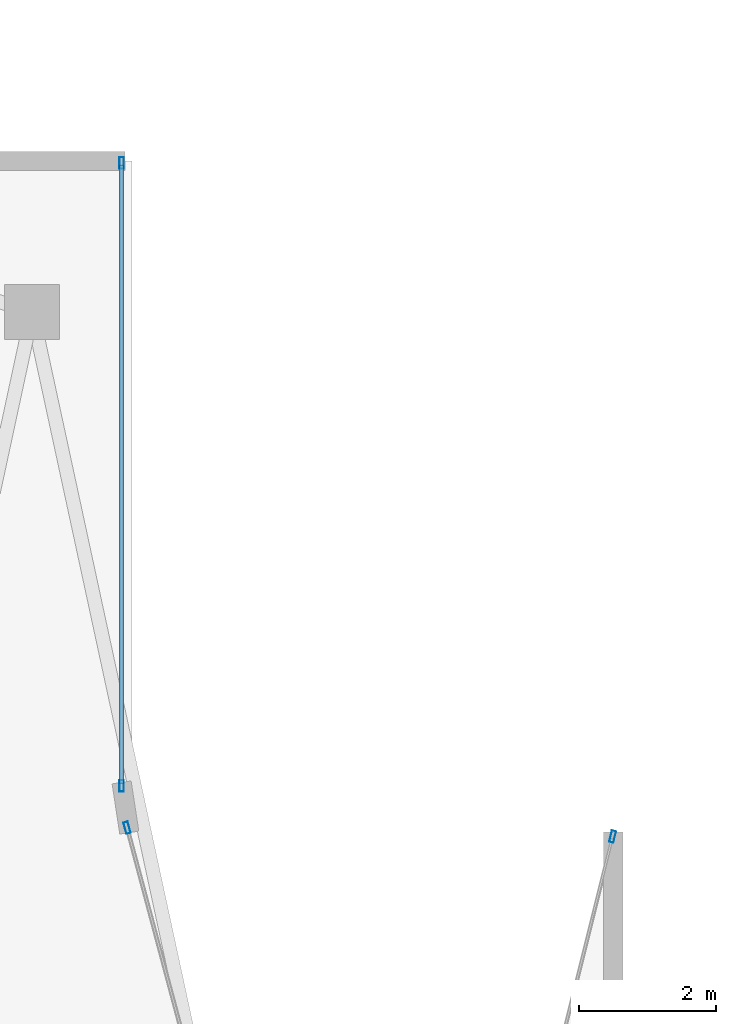
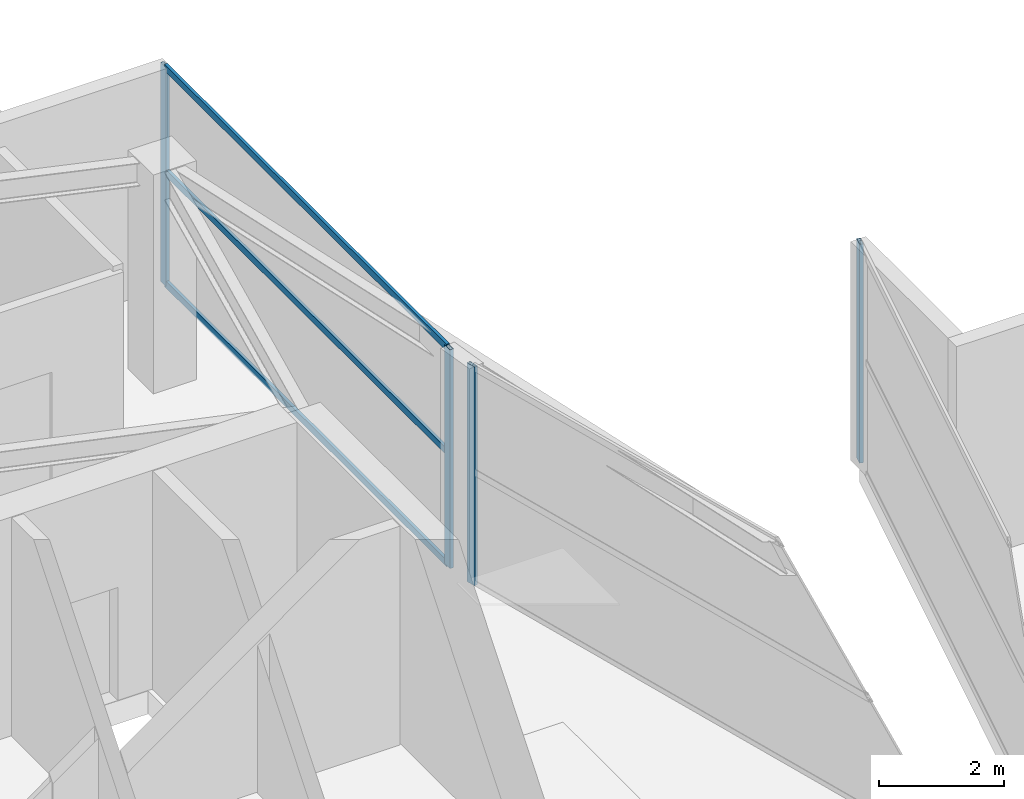
# One storey, part 18 of 25: 7 members, 3 elements without a shape of their own.
"""IFC4 building model written with IfcOpenShell, lengths in metres."""

from ifc_helpers import new_model, si_unit, direction, frame, origin, origin_2d, place, context, subcontext, project, spatial, hollow_rectangle, extrude, material, layer, layer_set, material_profile, profile_set, type_object, element, aggregate, save


model = new_model("IFC4")

# Units and contexts
model_context = context("Model", 3, precision=1e-05, world=origin(), true_north=direction((0.0, 1.0)))
body_context = subcontext(model_context, "Body", "Model", "MODEL_VIEW")
ifc_project = project(units=[si_unit("LENGTHUNIT", "METRE"), si_unit("AREAUNIT", "SQUARE_METRE"), si_unit("VOLUMEUNIT", "CUBIC_METRE"), si_unit("PLANEANGLEUNIT", "RADIAN"), si_unit("MASSUNIT", "GRAM", prefix="KILO")], contexts=[model_context])

# Site, building, storey
site_placement = place(None, origin())
site = spatial("IfcSite", under=ifc_project, at=site_placement, CompositionType="ELEMENT")
building_placement = place(site_placement, origin())
building = spatial("IfcBuilding", under=site, at=building_placement, Name="Calvorn Quay Hotel", CompositionType="ELEMENT")
storey_placement = place(building_placement, frame((0.0, 0.0, 307.0)))
storey = spatial("IfcBuildingStorey", under=building, at=storey_placement, Name="L76", CompositionType="ELEMENT", Elevation=307.0)

# Curtain wall, member
ifc_material_1 = material(Name="Champagne Bronze Anodised Aluminium and Low-E Glass", Category="aluminium")
ifc_layer = layer(ifc_material_1, 0.219970703125)
ifc_layer_set = layer_set([ifc_layer], Name="CW-SYS-Z4")
curtain_wall_type = type_object("IfcCurtainWallType", Name="CW-SYS-Z4", PredefinedType="NOTDEFINED", material=ifc_layer_set)
curtain_wall_1_placement = place(storey_placement, origin())
curtain_wall_1 = element("IfcCurtainWall", 1, at=curtain_wall_1_placement, inside=storey, type_object=curtain_wall_type, Name="Inner Court Curtain Wall L76-NE1", PredefinedType="NOTDEFINED")
ifc_material_2 = material(Name="Champagne Bronze Anodised Aluminium 6063-T6", Category="aluminium")
ifc_material_profile_1 = material_profile(ifc_material_2, hollow_rectangle(XDim=0.06494140625, YDim=0.169921875, WallThickness=0.00341796875, at=origin_2d()), Name="ALU-M170x65x3.5")
ifc_profile_set_1 = profile_set([ifc_material_profile_1], Name="Champagne Bronze Anodised Aluminium 6063-T6")
member_type_1 = type_object("IfcMemberType", Name="CW-SYS-Z4-MUL", PredefinedType="MULLION", material=ifc_profile_set_1)
member_1_placement = place(storey_placement, frame((24.99267578125, 37.970947265625, 0.0), z_axis=(0.0, 0.0, 1.0), x_axis=(0.970142500145, -0.242535625038, 0.0)))
member_1 = element("IfcMember", 2, at=member_1_placement, type_object=member_type_1, Name="CW-L76-NE1 mullion 1", PredefinedType="MULLION", context=body_context, shape_type="SweptSolid", body=[
    extrude(hollow_rectangle(XDim=0.06494140625, YDim=0.169921875, WallThickness=0.00341796875, at=origin_2d()), origin(), (0.0, 0.0, 1.0), 4.260009765625),
])
aggregate(curtain_wall_1, [member_1])

curtain_wall_2_placement = place(storey_placement, origin())
curtain_wall_2 = element("IfcCurtainWall", 3, at=curtain_wall_2_placement, inside=storey, type_object=curtain_wall_type, Name="Inner Court Curtain Wall L76-IC1", PredefinedType="NOTDEFINED")
member_2_placement = place(storey_placement, frame((17.9296875, 38.10107421875, 0.0), z_axis=(0.0, 0.0, 1.0), x_axis=(-0.96593652056, -0.25877913024, 0.0)))
member_2 = element("IfcMember", 4, at=member_2_placement, type_object=member_type_1, Name="CW-L76-IC1 mullion 2", PredefinedType="MULLION", context=body_context, shape_type="SweptSolid", body=[
    extrude(hollow_rectangle(XDim=0.06494140625, YDim=0.169921875, WallThickness=0.00341796875, at=origin_2d()), origin(), (0.0, 0.0, 1.0), 4.260009765625),
])
aggregate(curtain_wall_2, [member_2])

# Curtain wall, members
curtain_wall_3_placement = place(storey_placement, origin())
curtain_wall_3 = element("IfcCurtainWall", 5, at=curtain_wall_3_placement, inside=storey, type_object=curtain_wall_type, Name="Inner Court Curtain Wall L76-IC2", PredefinedType="NOTDEFINED")
member_3_placement = place(storey_placement, frame((17.85009765625, 38.7099609375, 0.0), z_axis=(0.0, 0.0, 1.0), x_axis=(-1.0, 0.0, 0.0)))
member_3 = element("IfcMember", 6, at=member_3_placement, type_object=member_type_1, Name="CW-L76-IC2 mullion 1", PredefinedType="MULLION", context=body_context, shape_type="SweptSolid", body=[
    extrude(hollow_rectangle(XDim=0.06494140625, YDim=0.169921875, WallThickness=0.00341796875, at=origin_2d()), origin(), (0.0, 0.0, 1.0), 4.260009765625),
])
member_4_placement = place(storey_placement, frame((17.85009765625, 47.77001953125, 0.0), z_axis=(0.0, 0.0, 1.0), x_axis=(-1.0, 0.0, 0.0)))
member_4 = element("IfcMember", 7, at=member_4_placement, type_object=member_type_1, Name="CW-L76-IC2 mullion 2", PredefinedType="MULLION", context=body_context, shape_type="SweptSolid", body=[
    extrude(hollow_rectangle(XDim=0.06494140625, YDim=0.169921875, WallThickness=0.00341796875, at=origin_2d()), origin(), (0.0, 0.0, 1.0), 4.260009765625),
])
ifc_material_3 = material(Name="Champagne Bronze Anodised Aluminium 6063-T6", Category="aluminium")
ifc_material_profile_2 = material_profile(ifc_material_3, hollow_rectangle(XDim=0.054931640625, YDim=0.1298828125, WallThickness=0.003173828125, at=origin_2d()), Name="ALU-T130x55x3.2")
ifc_profile_set_2 = profile_set([ifc_material_profile_2], Name="Champagne Bronze Anodised Aluminium 6063-T6")
member_type_2 = type_object("IfcMemberType", Name="CW-SYS-Z4-TRN", PredefinedType="USERDEFINED", material=ifc_profile_set_2)
member_5_placement = place(storey_placement, frame((17.85009765625, 38.739990234375, 0.030029296875), z_axis=(0.0, 1.0, 0.0), x_axis=(-1.0, 0.0, 0.0)))
member_5 = element("IfcMember", 8, at=member_5_placement, type_object=member_type_2, Name="CW-L76-IC2 transom 1.1", ObjectType="TRANSOM", PredefinedType="USERDEFINED", context=body_context, shape_type="SweptSolid", body=[
    extrude(hollow_rectangle(XDim=0.054931640625, YDim=0.1298828125, WallThickness=0.003173828125, at=origin_2d()), origin(), (0.0, 0.0, 1.0), 9.0),
])
member_6_placement = place(storey_placement, frame((17.85009765625, 38.739990234375, 2.199951171875), z_axis=(0.0, 1.0, 0.0), x_axis=(-1.0, 0.0, 0.0)))
member_6 = element("IfcMember", 9, at=member_6_placement, type_object=member_type_2, Name="CW-L76-IC2 transom 1.2", ObjectType="TRANSOM", PredefinedType="USERDEFINED", context=body_context, shape_type="SweptSolid", body=[
    extrude(hollow_rectangle(XDim=0.054931640625, YDim=0.1298828125, WallThickness=0.003173828125, at=origin_2d()), origin(), (0.0, 0.0, 1.0), 9.0),
])
member_7_placement = place(storey_placement, frame((17.85009765625, 38.739990234375, 4.22998046875), z_axis=(0.0, 1.0, 0.0), x_axis=(-1.0, 0.0, 0.0)))
member_7 = element("IfcMember", 10, at=member_7_placement, type_object=member_type_2, Name="CW-L76-IC2 transom 1.3", ObjectType="TRANSOM", PredefinedType="USERDEFINED", context=body_context, shape_type="SweptSolid", body=[
    extrude(hollow_rectangle(XDim=0.054931640625, YDim=0.1298828125, WallThickness=0.003173828125, at=origin_2d()), origin(), (0.0, 0.0, 1.0), 9.0),
])
aggregate(curtain_wall_3, [member_3, member_4, member_5, member_6, member_7])

save(model, "model.ifc")
